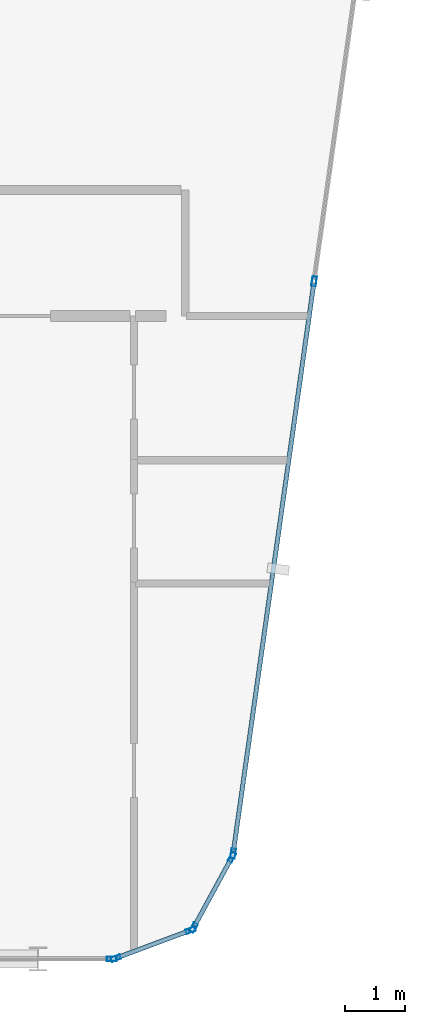
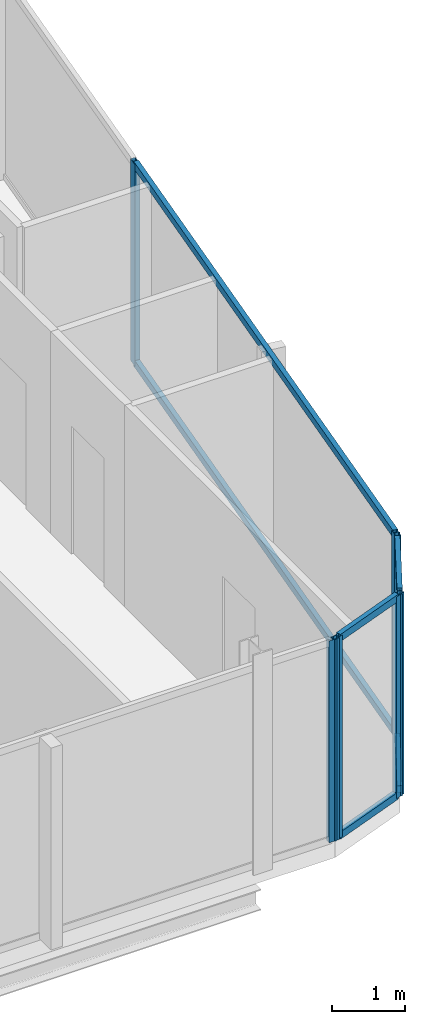
# One storey, part 12 of 27: 13 members, 4 elements without a shape of their own.
"""IFC4 building model written with IfcOpenShell, lengths in metres."""

from ifc_helpers import new_model, si_unit, direction, frame, origin, origin_2d, place, context, subcontext, project, spatial, hollow_rectangle, extrude, material, layer, layer_set, material_profile, profile_set, type_object, element, aggregate, save


model = new_model("IFC4")

# Units and contexts
model_context = context("Model", 3, precision=1e-05, world=origin(), true_north=direction((0.0, 1.0)))
body_context = subcontext(model_context, "Body", "Model", "MODEL_VIEW")
ifc_project = project(units=[si_unit("LENGTHUNIT", "METRE"), si_unit("AREAUNIT", "SQUARE_METRE"), si_unit("VOLUMEUNIT", "CUBIC_METRE"), si_unit("PLANEANGLEUNIT", "RADIAN"), si_unit("MASSUNIT", "GRAM", prefix="KILO")], contexts=[model_context])

# Site, building, storey
site_placement = place(None, origin())
site = spatial("IfcSite", under=ifc_project, at=site_placement, CompositionType="ELEMENT")
building_placement = place(site_placement, origin())
building = spatial("IfcBuilding", under=site, at=building_placement, Name="Keshet Zoharim Tower", CompositionType="ELEMENT")
storey_placement = place(building_placement, frame((0.0, 0.0, 288.0)))
storey = spatial("IfcBuildingStorey", under=building, at=storey_placement, Name="L72", CompositionType="ELEMENT", Elevation=288.0)

# Curtain wall, members
ifc_material = material(Name="Aluminium 6063-T6", Category="aluminium")
ifc_layer = layer(ifc_material, 0.260009765625)
ifc_layer_set = layer_set([ifc_layer], Name="Aluminium 6063-T6")
curtain_wall_type = type_object("IfcCurtainWallType", Name="CW-SYS-06", PredefinedType="NOTDEFINED", material=ifc_layer_set)
curtain_wall_1_placement = place(storey_placement, origin())
curtain_wall_1 = element("IfcCurtainWall", 1, at=curtain_wall_1_placement, inside=storey, type_object=curtain_wall_type, Name="L72 Unitised Curtain Wall 11", PredefinedType="NOTDEFINED")
ifc_material_profile_1 = material_profile(ifc_material, hollow_rectangle(XDim=0.074951171875, YDim=0.159912109375, WallThickness=0.00390625, at=origin_2d()), Name="MUL-75x160")
ifc_profile_set_1 = profile_set([ifc_material_profile_1], Name="Aluminium 6063-T6")
member_type_1 = type_object("IfcMemberType", Name="CWM-M15", PredefinedType="MULLION", material=ifc_profile_set_1)
member_1_placement = place(storey_placement, frame((43.595458984375, 17.97607421875, 0.0), z_axis=(0.0, 0.0, 1.0), x_axis=(0.990132057422, -0.140137464177, 0.0)))
member_1 = element("IfcMember", 2, at=member_1_placement, type_object=member_type_1, Name="CW-06 mullion 2", PredefinedType="MULLION", context=body_context, shape_type="SweptSolid", body=[
    extrude(hollow_rectangle(XDim=0.074951171875, YDim=0.159912109375, WallThickness=0.00390625, at=origin_2d()), origin(), (0.0, 0.0, 1.0), 3.389892578125),
])
member_2_placement = place(storey_placement, frame((42.247802734375, 8.45458984375, 0.0), z_axis=(0.0, 0.0, 1.0), x_axis=(0.990132057422, -0.140137464177, 0.0)))
member_2 = element("IfcMember", 3, at=member_2_placement, type_object=member_type_1, Name="CW-06 mullion 3", PredefinedType="MULLION", context=body_context, shape_type="SweptSolid", body=[
    extrude(hollow_rectangle(XDim=0.074951171875, YDim=0.159912109375, WallThickness=0.00390625, at=origin_2d()), origin(), (0.0, 0.0, 1.0), 3.389892578125),
])

curtain_wall_2_placement = place(storey_placement, origin())
curtain_wall_2 = element("IfcCurtainWall", 4, at=curtain_wall_2_placement, inside=storey, type_object=curtain_wall_type, Name="L72 Unitised Curtain Wall 12", PredefinedType="NOTDEFINED")
member_3_placement = place(storey_placement, frame((42.226318359375, 8.38916015625, 0.0), z_axis=(0.0, 0.0, 1.0), x_axis=(0.878468125004, -0.477800955789, 0.0)))
member_3 = element("IfcMember", 5, at=member_3_placement, type_object=member_type_1, Name="CW-06 mullion 1", PredefinedType="MULLION", context=body_context, shape_type="SweptSolid", body=[
    extrude(hollow_rectangle(XDim=0.074951171875, YDim=0.159912109375, WallThickness=0.00390625, at=origin_2d()), origin(), (0.0, 0.0, 1.0), 3.389892578125),
])
member_4_placement = place(storey_placement, frame((41.5908203125, 7.220703125, 0.0), z_axis=(0.0, 0.0, 1.0), x_axis=(0.878468125004, -0.477800955789, 0.0)))
member_4 = element("IfcMember", 6, at=member_4_placement, type_object=member_type_1, Name="CW-06 mullion 2", PredefinedType="MULLION", context=body_context, shape_type="SweptSolid", body=[
    extrude(hollow_rectangle(XDim=0.074951171875, YDim=0.159912109375, WallThickness=0.00390625, at=origin_2d()), origin(), (0.0, 0.0, 1.0), 3.389892578125),
])

curtain_wall_3_placement = place(storey_placement, origin())
curtain_wall_3 = element("IfcCurtainWall", 7, at=curtain_wall_3_placement, inside=storey, type_object=curtain_wall_type, Name="L72 Unitised Curtain Wall 13", PredefinedType="NOTDEFINED")
member_5_placement = place(storey_placement, frame((41.541259765625, 7.177734375, 0.0), z_axis=(0.0, 0.0, 1.0), x_axis=(0.350105315376, -0.936710343781, 0.0)))
member_5 = element("IfcMember", 8, at=member_5_placement, type_object=member_type_1, Name="CW-06 mullion 1", PredefinedType="MULLION", context=body_context, shape_type="SweptSolid", body=[
    extrude(hollow_rectangle(XDim=0.074951171875, YDim=0.159912109375, WallThickness=0.00390625, at=origin_2d()), origin(), (0.0, 0.0, 1.0), 3.389892578125),
])
member_6_placement = place(storey_placement, frame((40.2958984375, 6.712158203125, 0.0), z_axis=(0.0, 0.0, 1.0), x_axis=(0.350105315376, -0.936710343781, 0.0)))
member_6 = element("IfcMember", 9, at=member_6_placement, type_object=member_type_1, Name="CW-06 mullion 2", PredefinedType="MULLION", context=body_context, shape_type="SweptSolid", body=[
    extrude(hollow_rectangle(XDim=0.074951171875, YDim=0.159912109375, WallThickness=0.00390625, at=origin_2d()), origin(), (0.0, 0.0, 1.0), 3.389892578125),
])

# Curtain wall, member
curtain_wall_4_placement = place(storey_placement, origin())
curtain_wall_4 = element("IfcCurtainWall", 10, at=curtain_wall_4_placement, inside=storey, type_object=curtain_wall_type, Name="L72 Unitised Curtain Wall 14", PredefinedType="NOTDEFINED")
member_7_placement = place(storey_placement, frame((40.22802734375, 6.699951171875, 0.0), z_axis=(0.0, 0.0, 1.0), x_axis=(0.0, -1.0, 0.0)))
member_7 = element("IfcMember", 11, at=member_7_placement, type_object=member_type_1, Name="CW-06 mullion 1", PredefinedType="MULLION", context=body_context, shape_type="SweptSolid", body=[
    extrude(hollow_rectangle(XDim=0.074951171875, YDim=0.159912109375, WallThickness=0.00390625, at=origin_2d()), origin(), (0.0, 0.0, 1.0), 3.389892578125),
])
aggregate(curtain_wall_4, [member_7])

# Member
ifc_material_profile_2 = material_profile(ifc_material, hollow_rectangle(XDim=0.074951171875, YDim=0.1201171875, WallThickness=0.00390625, at=origin_2d()), Name="TRN-75x120")
ifc_profile_set_2 = profile_set([ifc_material_profile_2], Name="Aluminium 6063-T6")
member_type_2 = type_object("IfcMemberType", Name="CWT-T12", PredefinedType="USERDEFINED", material=ifc_profile_set_2)
member_8_placement = place(storey_placement, frame((43.590576171875, 17.94140625, 0.034912109375), z_axis=(-0.14012154881, -0.990134309859, 0.0), x_axis=(0.990134309859, -0.14012154881, 0.0)))
member_8 = element("IfcMember", 12, at=member_8_placement, type_object=member_type_2, Name="CW-06 transom 2.1", ObjectType="TRANSOM", PredefinedType="USERDEFINED", context=body_context, shape_type="SweptSolid", body=[
    extrude(hollow_rectangle(XDim=0.074951171875, YDim=0.1201171875, WallThickness=0.00390625, at=origin_2d()), origin(), (0.0, 0.0, 1.0), 9.54638671875),
])

member_9_placement = place(storey_placement, frame((43.590576171875, 17.94140625, 3.35498046875), z_axis=(-0.14012154881, -0.990134309859, 0.0), x_axis=(0.990134309859, -0.14012154881, 0.0)))
member_9 = element("IfcMember", 13, at=member_9_placement, type_object=member_type_2, Name="CW-06 transom 2.2", ObjectType="TRANSOM", PredefinedType="USERDEFINED", context=body_context, shape_type="SweptSolid", body=[
    extrude(hollow_rectangle(XDim=0.074951171875, YDim=0.1201171875, WallThickness=0.00390625, at=origin_2d()), origin(), (0.0, 0.0, 1.0), 9.54638671875),
])

aggregate(curtain_wall_1, [member_1, member_2, member_8, member_9])

member_10_placement = place(storey_placement, frame((42.20947265625, 8.3583984375, 0.034912109375), z_axis=(-0.47779293276, -0.878472488701, 0.0), x_axis=(0.878472488701, -0.47779293276, 0.0)))
member_10 = element("IfcMember", 14, at=member_10_placement, type_object=member_type_2, Name="CW-06 transom 1.1", ObjectType="TRANSOM", PredefinedType="USERDEFINED", context=body_context, shape_type="SweptSolid", body=[
    extrude(hollow_rectangle(XDim=0.074951171875, YDim=0.1201171875, WallThickness=0.00390625, at=origin_2d()), origin(), (0.0, 0.0, 1.0), 1.260009765625),
])

member_11_placement = place(storey_placement, frame((42.20947265625, 8.3583984375, 3.35498046875), z_axis=(-0.47779293276, -0.878472488701, 0.0), x_axis=(0.878472488701, -0.47779293276, 0.0)))
member_11 = element("IfcMember", 15, at=member_11_placement, type_object=member_type_2, Name="CW-06 transom 1.2", ObjectType="TRANSOM", PredefinedType="USERDEFINED", context=body_context, shape_type="SweptSolid", body=[
    extrude(hollow_rectangle(XDim=0.074951171875, YDim=0.1201171875, WallThickness=0.00390625, at=origin_2d()), origin(), (0.0, 0.0, 1.0), 1.260009765625),
])

aggregate(curtain_wall_2, [member_3, member_4, member_10, member_11])

member_12_placement = place(storey_placement, frame((41.508544921875, 7.16552734375, 0.034912109375), z_axis=(-0.93673477759, -0.350039935512, 0.0), x_axis=(0.350039935512, -0.93673477759, 0.0)))
member_12 = element("IfcMember", 16, at=member_12_placement, type_object=member_type_2, Name="CW-06 transom 1.1", ObjectType="TRANSOM", PredefinedType="USERDEFINED", context=body_context, shape_type="SweptSolid", body=[
    extrude(hollow_rectangle(XDim=0.074951171875, YDim=0.1201171875, WallThickness=0.00390625, at=origin_2d()), origin(), (0.0, 0.0, 1.0), 1.259521484375),
])

member_13_placement = place(storey_placement, frame((41.508544921875, 7.16552734375, 3.35498046875), z_axis=(-0.93673477759, -0.350039935512, 0.0), x_axis=(0.350039935512, -0.93673477759, 0.0)))
member_13 = element("IfcMember", 17, at=member_13_placement, type_object=member_type_2, Name="CW-06 transom 1.2", ObjectType="TRANSOM", PredefinedType="USERDEFINED", context=body_context, shape_type="SweptSolid", body=[
    extrude(hollow_rectangle(XDim=0.074951171875, YDim=0.1201171875, WallThickness=0.00390625, at=origin_2d()), origin(), (0.0, 0.0, 1.0), 1.259521484375),
])

aggregate(curtain_wall_3, [member_5, member_6, member_12, member_13])

save(model, "model.ifc")
